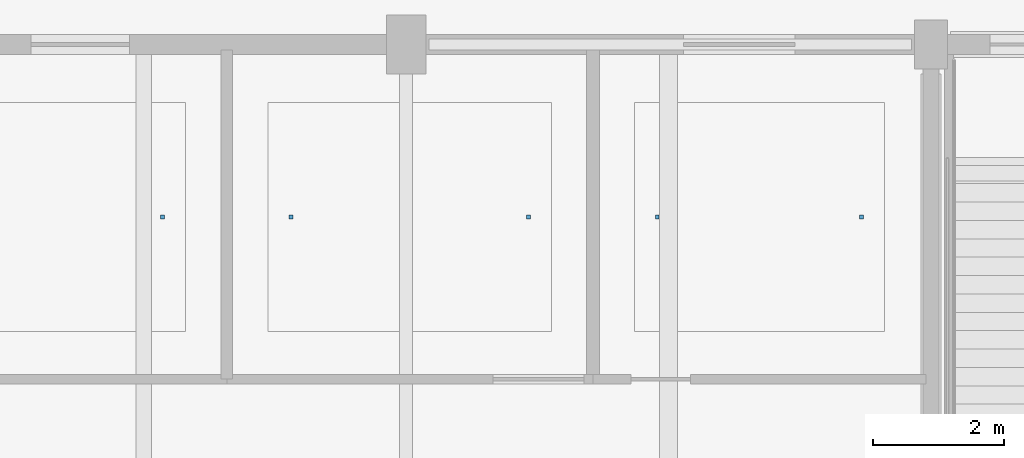
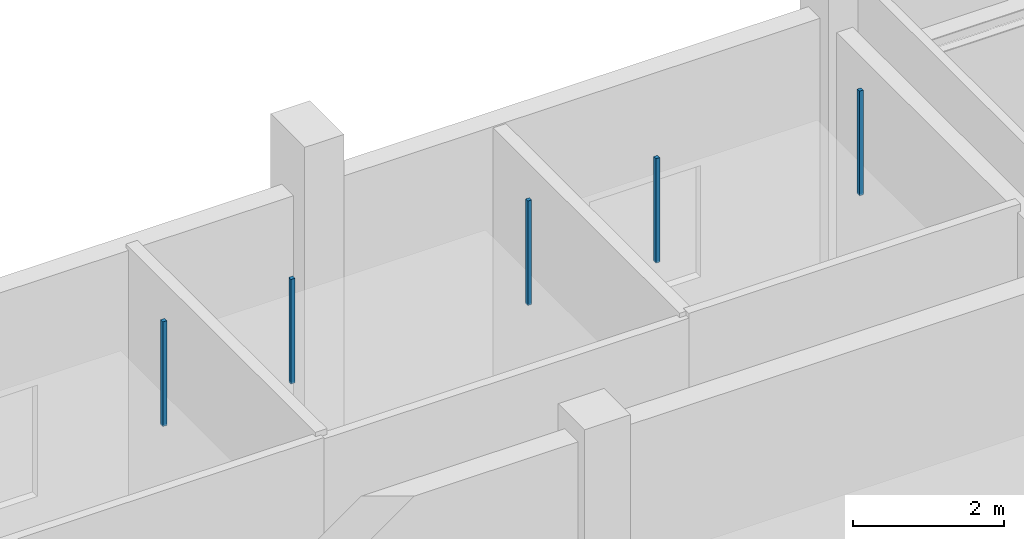
# One storey, part 89 of 126: 5 discrete accessories.
"""IFC4 building model written with IfcOpenShell, lengths in metres."""

from ifc_helpers import new_model, si_unit, direction, frame, origin, origin_2d, place, context, subcontext, project, spatial, rectangle, extrude, material, type_object, element, save


model = new_model("IFC4")

# Units and contexts
model_context = context("Model", 3, precision=1e-05, world=origin(), true_north=direction((0.0, 1.0)))
body_context = subcontext(model_context, "Body", "Model", "MODEL_VIEW")
ifc_project = project(units=[si_unit("LENGTHUNIT", "METRE"), si_unit("AREAUNIT", "SQUARE_METRE"), si_unit("VOLUMEUNIT", "CUBIC_METRE"), si_unit("PLANEANGLEUNIT", "RADIAN"), si_unit("MASSUNIT", "GRAM", prefix="KILO")], contexts=[model_context])

# Site, building, storey
site_placement = place(None, origin())
site = spatial("IfcSite", under=ifc_project, at=site_placement, CompositionType="ELEMENT")
building_placement = place(site_placement, origin())
building = spatial("IfcBuilding", under=site, at=building_placement, Name="Khelvaren Railside Concert Hall", CompositionType="ELEMENT")
storey_placement = place(building_placement, origin())
storey = spatial("IfcBuildingStorey", under=building, at=storey_placement, Name="L00", CompositionType="ELEMENT", Elevation=0.0)

# Discrete accessories
ifc_material = material(Name="Galvanised steel acoustic ceiling hanger rod", Category="steel")
discrete_accessory_type = type_object("IfcDiscreteAccessoryType", Name="BRK62", PredefinedType="BRACKET", material=ifc_material)
for number, where, z_axis, x_axis, name in (
    (1, (20.2880859375, 111.375, 3.429931640625), (0.0, 0.0, 1.0), (1.0, 0.0, 0.0), "Acoustic Ceiling Suspension Bracket 96-2"),
    (2, (22.248046875, 111.375, 3.429931640625), (0.0, 0.0, 1.0), (1.0, 0.0, 0.0), "Acoustic Ceiling Suspension Bracket 97-1"),
    (3, (25.867919921875, 111.375, 3.429931640625), (0.0, 0.0, 1.0), (1.0, 0.0, 0.0), "Acoustic Ceiling Suspension Bracket 97-2"),
    (4, (27.827880859375, 111.375, 3.429931640625), (0.0, 0.0, 1.0), (1.0, 0.0, 0.0), "Acoustic Ceiling Suspension Bracket 98-1"),
    (5, (30.93994140625, 111.375, 3.429931640625), (0.0, 0.0, 1.0), (1.0, 0.0, 0.0), "Acoustic Ceiling Suspension Bracket 98-2"),
):
    element("IfcDiscreteAccessory", number, at=place(storey_placement, frame(where, z_axis=z_axis, x_axis=x_axis)), inside=storey, type_object=discrete_accessory_type, Name=name, PredefinedType="BRACKET", context=body_context, shape_type="SweptSolid", body=[
        extrude(rectangle(XDim=0.06005859375, YDim=0.06005859375, at=origin_2d()), origin(), (0.0, 0.0, 1.0), 1.68994140625),
    ])

save(model, "model.ifc")
